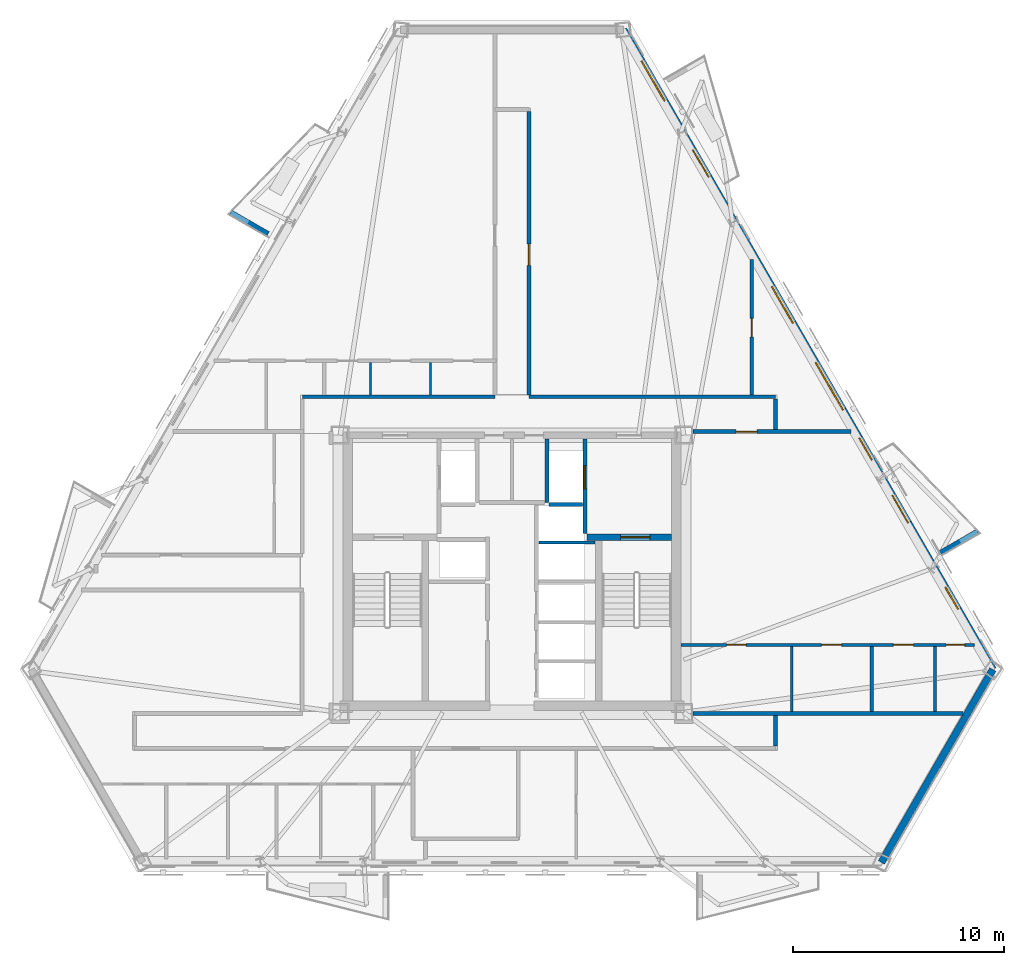
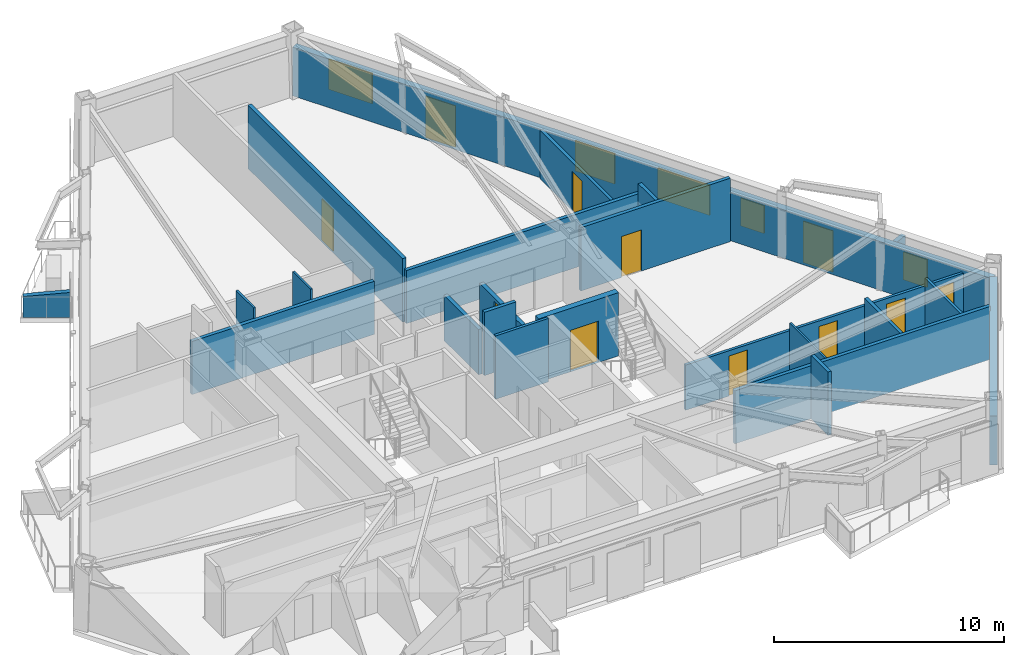
# One storey, part 5 of 9: 23 walls, 11 doors, 5 windows, 16 openings.
"""IFC4 building model written with IfcOpenShell, lengths in metres."""

import ifcopenshell
import ifcopenshell.guid

model = None  # the IFC model being written
_history = None  # IfcOwnerHistory: only IFC2X3 demands one
_inside = {}  # id of a spatial element -> (the spatial element, [elements in it])
_under = {}  # id of a project, library or spatial element -> (it, [spatial elements below it])
_declared = {}  # id of a project -> (the project, [libraries it declares])
_typed = {}  # id of a type object -> (the type object, [elements of that type])
_made_of = {}  # id of a material, layer set ... -> (it, [elements and type objects made of it])


def new_model(schema):
    """Start an empty IFC model of exactly this schema.

    Asked for "IFC4X3", IfcOpenShell would pick the latest addendum, in which some entities
    have other attributes; the version numbers below select the first issue.
    IFC2X3 requires an IfcOwnerHistory on every rooted entity: one is made here for all.
    """
    global model, _history
    if schema == "IFC4X3":
        model = ifcopenshell.file(schema_version=(4, 3, 0, 0))
    else:
        model = ifcopenshell.file(schema=schema)
    _inside.clear()
    _under.clear()
    _declared.clear()
    _typed.clear()
    _made_of.clear()
    _history = None
    if model.schema == "IFC2X3":
        org = make("IfcOrganization", Name="unknown")
        user = make(
            "IfcPersonAndOrganization",
            ThePerson=make("IfcPerson", FamilyName="unknown"),
            TheOrganization=org,
        )
        app = make(
            "IfcApplication",
            ApplicationDeveloper=org,
            Version="unknown",
            ApplicationFullName="unknown",
            ApplicationIdentifier="unknown",
        )
        _history = make(
            "IfcOwnerHistory",
            OwningUser=user,
            OwningApplication=app,
            ChangeAction="ADDED",
            CreationDate=0,
        )
    return model


def make(cls, **values):
    """One entity of the class cls with the attributes given. An attribute that is None is left unset."""
    return model.create_entity(
        cls, **{name: value for name, value in values.items() if value is not None}
    )


def rooted(cls, **values):
    """An entity with a GlobalId (a new one), such as an element, a storey or a relation."""
    return make(cls, GlobalId=ifcopenshell.guid.new(), OwnerHistory=_history, **values)


def si_unit(unit_type, name, prefix=None):
    """IfcSIUnit, for example si_unit("LENGTHUNIT", "METRE", prefix="MILLI")."""
    return make("IfcSIUnit", UnitType=unit_type, Prefix=prefix, Name=name)


def assignment(units):
    """IfcUnitAssignment: the units of a project."""
    return None if units is None else make("IfcUnitAssignment", Units=units)


def point(xyz):
    """IfcCartesianPoint."""
    return None if xyz is None else make("IfcCartesianPoint", Coordinates=xyz)


def direction(xyz):
    """IfcDirection."""
    return None if xyz is None else make("IfcDirection", DirectionRatios=xyz)


def frame(location, z_axis=None, x_axis=None):
    """IfcAxis2Placement3D, a coordinate frame: its origin and axes. An axis left out is left unset."""
    return make(
        "IfcAxis2Placement3D",
        Location=point(location),
        Axis=direction(z_axis),
        RefDirection=direction(x_axis),
    )


def frame_2d(location, x_axis=None):
    """IfcAxis2Placement2D, a coordinate frame in the plane: its origin and x axis."""
    return make(
        "IfcAxis2Placement2D", Location=point(location), RefDirection=direction(x_axis)
    )


def origin():
    """The frame at (0, 0, 0) with its axes left unset."""
    return frame((0.0, 0.0, 0.0))


def place(relative_to, where):
    """IfcLocalPlacement: puts the frame where relative to a parent placement (None: the world)."""
    return make(
        "IfcLocalPlacement", PlacementRelTo=relative_to, RelativePlacement=where
    )


def context(
    kind, dimensions, precision=None, world=None, true_north=None, identifier=None
):
    """IfcGeometricRepresentationContext, for example the 3D "Model" context."""
    return make(
        "IfcGeometricRepresentationContext",
        ContextIdentifier=identifier,
        ContextType=kind,
        CoordinateSpaceDimension=dimensions,
        Precision=precision,
        WorldCoordinateSystem=world,
        TrueNorth=true_north,
    )


def subcontext(parent, identifier, kind, view, scale=None):
    """IfcGeometricRepresentationSubContext, for example "Body" below "Model"."""
    return make(
        "IfcGeometricRepresentationSubContext",
        ContextIdentifier=identifier,
        ContextType=kind,
        ParentContext=parent,
        TargetScale=scale,
        TargetView=view,
    )


def project(units=None, contexts=None):
    """IfcProject with its units and contexts."""
    return rooted(
        "IfcProject",
        Name="project",
        RepresentationContexts=contexts,
        UnitsInContext=assignment(units),
    )


def spatial(cls, under=None, at=None, **own):
    """A site, building, storey or space (cls), placed at a placement, below another one or the project."""
    s = rooted(cls, ObjectPlacement=at, **own)
    if under is not None:
        _under.setdefault(under.id(), (under, []))[1].append(s)
    return s


def polyline(points):
    """IfcPolyline through the points."""
    return make("IfcPolyline", Points=[point(p) for p in points])


def profile(cls, at=None, kind="AREA", **sizes):
    """A parametric profile (cls). Its sizes go by their IFC names, for example OverallWidth=200.0."""
    return make(cls, ProfileType=kind, Position=at, **sizes)


def rectangle(**sizes):
    """IfcRectangleProfileDef."""
    return profile("IfcRectangleProfileDef", **sizes)


def outline(outer, holes=None, kind="AREA"):
    """IfcArbitraryClosedProfileDef: a profile drawn as a closed curve; with holes, ...WithVoids."""
    if holes is None:
        return make("IfcArbitraryClosedProfileDef", ProfileType=kind, OuterCurve=outer)
    return make(
        "IfcArbitraryProfileDefWithVoids",
        ProfileType=kind,
        OuterCurve=outer,
        InnerCurves=holes,
    )


def extrude(swept, where, along, depth):
    """IfcExtrudedAreaSolid: the profile swept, set in the frame where, extruded along a direction by depth."""
    return make(
        "IfcExtrudedAreaSolid",
        SweptArea=swept,
        Position=where,
        ExtrudedDirection=direction(along),
        Depth=depth,
    )


def shape(context_of_items, identifier, shape_type, items):
    """IfcShapeRepresentation: the items that make up one representation, for example the "Body"."""
    return make(
        "IfcShapeRepresentation",
        ContextOfItems=context_of_items,
        RepresentationIdentifier=identifier,
        RepresentationType=shape_type,
        Items=items,
    )


def material(Name=None, Category=None):
    """IfcMaterial."""
    return make("IfcMaterial", Name=Name, Category=Category)


def layer(
    of_material, thickness, ventilated=None, Name=None, Category=None, Priority=None
):
    """IfcMaterialLayer: one layer of a wall or slab, of a material (None: an air gap)."""
    return make(
        "IfcMaterialLayer",
        Material=of_material,
        LayerThickness=thickness,
        IsVentilated=ventilated,
        Name=Name,
        Category=Category,
        Priority=Priority,
    )


def layer_set(layers, Name=None):
    """IfcMaterialLayerSet."""
    return make("IfcMaterialLayerSet", MaterialLayers=layers, LayerSetName=Name)


def made_of(thing, what):
    """Note that an element or type object is made of a material, layer set ...; save() writes the relation."""
    if what is not None:
        _made_of.setdefault(what.id(), (what, []))[1].append(thing)
    return thing


def type_object(cls, material=None, **own):
    """A type object (cls), such as IfcWallType, which elements share."""
    return made_of(rooted(cls, **own), material)


def element(
    cls,
    number,
    at=None,
    inside=None,
    cuts=None,
    type_object=None,
    material=None,
    context=None,
    identifier="Body",
    shape_type=None,
    held_by="IfcProductDefinitionShape",
    body=None,
    shapes=None,
    **own,
):
    """One element of the class cls, such as IfcWall. Its Tag is "e" and its number.

    at: its placement. inside: the storey or other place that contains it. cuts: it is an
    opening in that element (IfcRelVoidsElement). A single representation is given by context,
    identifier, shape_type and body (its items); several are given by shapes. held_by: the class
    of the entity that holds the representations. save() writes the other relations.
    """
    e = rooted(cls, Tag="e%d" % number, ObjectPlacement=at, **own)
    if body is not None:
        shapes = [shape(context, identifier, shape_type, body)]
    if shapes is not None:
        e.Representation = make(held_by, Representations=shapes)
    if inside is not None:
        _inside.setdefault(inside.id(), (inside, []))[1].append(e)
    if cuts is not None:
        rooted(
            "IfcRelVoidsElement", RelatingBuildingElement=cuts, RelatedOpeningElement=e
        )
    if type_object is not None:
        _typed.setdefault(type_object.id(), (type_object, []))[1].append(e)
    return made_of(e, material)


def fill(opening, filler):
    """IfcRelFillsElement: the door or window that sits in an opening."""
    return rooted(
        "IfcRelFillsElement",
        RelatingOpeningElement=opening,
        RelatedBuildingElement=filler,
    )


def aggregate(whole, parts):
    """IfcRelAggregates: a whole, such as a stair, and the parts it consists of."""
    return rooted("IfcRelAggregates", RelatingObject=whole, RelatedObjects=parts)


def save(model, path):
    """Write the relations noted so far, then the file.

    IfcRelAggregates (storeys below a building ...), IfcRelContainedInSpatialStructure (elements
    in a storey), IfcRelDefinesByType, IfcRelAssociatesMaterial and IfcRelDeclares: one each for
    every whole, place, type object, material and project.
    """
    for whole, parts in _under.values():
        aggregate(whole, parts)
    for where, things in _inside.values():
        rooted(
            "IfcRelContainedInSpatialStructure",
            RelatedElements=things,
            RelatingStructure=where,
        )
    for kind, things in _typed.values():
        rooted("IfcRelDefinesByType", RelatedObjects=things, RelatingType=kind)
    for what, things in _made_of.values():
        rooted("IfcRelAssociatesMaterial", RelatedObjects=things, RelatingMaterial=what)
    for by, libraries in _declared.values():
        rooted("IfcRelDeclares", RelatingContext=by, RelatedDefinitions=libraries)
    model.write(path)


model = new_model("IFC4")

# Units and contexts
model_context = context("Model", 3, precision=1e-05, world=origin(), true_north=direction((0.0, 1.0)))
body_context = subcontext(model_context, "Body", "Model", "MODEL_VIEW")
ifc_project = project(units=[si_unit("LENGTHUNIT", "METRE"), si_unit("AREAUNIT", "SQUARE_METRE"), si_unit("VOLUMEUNIT", "CUBIC_METRE"), si_unit("PLANEANGLEUNIT", "RADIAN"), si_unit("MASSUNIT", "GRAM", prefix="KILO")], contexts=[model_context])

# Site, building, storey
site_placement = place(None, origin())
site = spatial("IfcSite", under=ifc_project, at=site_placement, CompositionType="ELEMENT")
building_placement = place(site_placement, origin())
building = spatial("IfcBuilding", under=site, at=building_placement, Name="Oramaril Tower", CompositionType="ELEMENT")
storey_placement = place(building_placement, frame((0.0, 0.0, 126.60009765625)))
storey = spatial("IfcBuildingStorey", under=building, at=storey_placement, Name="L33", CompositionType="ELEMENT", Elevation=126.60009765625)

# Wall
ifc_material_1 = material(Name="Warm Cream Limestone", Category="masonry")
ifc_layer_1 = layer(ifc_material_1, 0.340087890625)
ifc_layer_set_1 = layer_set([ifc_layer_1], Name="WT-EXT34")
wall_type_1 = type_object("IfcWallType", Name="WT-EXT34", PredefinedType="SOLIDWALL", material=ifc_layer_set_1)
wall_1_placement = place(storey_placement, frame((55.0244140625, 3.87841796875, 0.0), z_axis=(0.0, 0.0, 1.0), x_axis=(0.500003640647, 0.866023301845, 0.0)))
element("IfcWall", 1, at=wall_1_placement, inside=storey, type_object=wall_type_1, Name="L33 Tower Limestone Facade Wall 3M", PredefinedType="SOLIDWALL", context=body_context, shape_type="SweptSolid", body=[
    extrude(rectangle(XDim=10.572265625, YDim=0.340087890625, at=frame_2d((5.2861328125, 0.0))), origin(), (0.0, 0.0, 1.0), 2.577880859375),
])

# Wall, openings, doors, windows
wall_2_placement = place(storey_placement, frame((60.310546875, 13.0341796875, 0.0), z_axis=(0.0, 0.0, 1.0), x_axis=(-0.499998814518, 0.866026088222, 0.0)))
wall_2 = element("IfcWall", 2, at=wall_2_placement, inside=storey, type_object=wall_type_1, Name="L33 Tower Limestone Facade Wall 4M", PredefinedType="SOLIDWALL", context=body_context, shape_type="SweptSolid", body=[
    extrude(rectangle(XDim=35.048828125, YDim=0.340087890625, at=frame_2d((17.5244140625, 0.0))), origin(), (0.0, 0.0, 1.0), 2.577880859375),
])
opening_1_placement = place(wall_2_placement, frame((8.034423828125, 0.0, 0.0)))
opening_1 = element("IfcOpeningElement", 3, at=opening_1_placement, cuts=wall_2, Name="Opening D-L33-BAL-NE1", PredefinedType="OPENING", context=body_context, shape_type="SweptSolid", body=[
    extrude(rectangle(XDim=1.5, YDim=2.199951171875, at=frame_2d((0.75, 1.10009765625))), frame((0.0, 0.169921875, 0.0), z_axis=(0.0, -1.0, 0.0), x_axis=(1.0, 0.0, 0.0)), (0.0, 0.0, 1.0), 0.340087890625),
])
opening_2_placement = place(wall_2_placement, frame((26.969482421875, 0.0, 0.0)))
opening_2 = element("IfcOpeningElement", 4, at=opening_2_placement, cuts=wall_2, Name="Opening D-L33-BAL-NE2", PredefinedType="OPENING", context=body_context, shape_type="SweptSolid", body=[
    extrude(rectangle(XDim=1.5, YDim=2.199951171875, at=frame_2d((0.75, 1.10009765625))), frame((0.0, 0.169921875, 0.0), z_axis=(0.0, -1.0, 0.0), x_axis=(1.0, 0.0, 0.0)), (0.0, 0.0, 1.0), 0.340087890625),
])
opening_3_placement = place(wall_2_placement, frame((3.305908203125, 0.0, 0.85009765625)))
opening_3 = element("IfcOpeningElement", 5, at=opening_3_placement, cuts=wall_2, Name="Opening WN-09", PredefinedType="OPENING", context=body_context, shape_type="SweptSolid", body=[
    extrude(rectangle(XDim=1.199951171875, YDim=1.47998046875, at=frame_2d((0.60009765625, 0.739990234375))), frame((0.0, 0.169921875, 0.0), z_axis=(0.0, -1.0, 0.0), x_axis=(1.0, 0.0, 0.0)), (0.0, 0.0, 1.0), 0.340087890625),
])
opening_4_placement = place(wall_2_placement, frame((11.474853515625, 0.0, 0.85009765625)))
opening_4 = element("IfcOpeningElement", 6, at=opening_4_placement, cuts=wall_2, Name="Opening WN-09", PredefinedType="OPENING", context=body_context, shape_type="SweptSolid", body=[
    extrude(rectangle(XDim=1.199951171875, YDim=1.47998046875, at=frame_2d((0.60009765625, 0.739990234375))), frame((0.0, 0.169921875, 0.0), z_axis=(0.0, -1.0, 0.0), x_axis=(1.0, 0.0, 0.0)), (0.0, 0.0, 1.0), 0.340087890625),
])
opening_5_placement = place(wall_2_placement, frame((31.13427734375, 0.0, 0.85009765625)))
opening_5 = element("IfcOpeningElement", 7, at=opening_5_placement, cuts=wall_2, Name="Opening WN-04", PredefinedType="OPENING", context=body_context, shape_type="SweptSolid", body=[
    extrude(rectangle(XDim=2.199951171875, YDim=1.617919921875, at=frame_2d((1.10009765625, 0.80908203125))), frame((0.0, 0.169921875, 0.0), z_axis=(0.0, -1.0, 0.0), x_axis=(1.0, 0.0, 0.0)), (0.0, 0.0, 1.0), 0.340087890625),
])
opening_6_placement = place(wall_2_placement, frame((14.212890625, 0.0, 0.85009765625)))
opening_6 = element("IfcOpeningElement", 8, at=opening_6_placement, cuts=wall_2, Name="Opening WN-02", PredefinedType="OPENING", context=body_context, shape_type="SweptSolid", body=[
    extrude(rectangle(XDim=2.60009765625, YDim=1.617919921875, at=frame_2d((1.300048828125, 0.80908203125))), frame((0.0, 0.169921875, 0.0), z_axis=(0.0, -1.0, 0.0), x_axis=(1.0, 0.0, 0.0)), (0.0, 0.0, 1.0), 0.340087890625),
])
opening_7_placement = place(wall_2_placement, frame((18.974609375, 0.0, 0.85009765625)))
opening_7 = element("IfcOpeningElement", 9, at=opening_7_placement, cuts=wall_2, Name="Opening WN-05", PredefinedType="OPENING", context=body_context, shape_type="SweptSolid", body=[
    extrude(rectangle(XDim=2.0, YDim=1.617919921875, at=frame_2d((1.0, 0.80908203125))), frame((0.0, 0.169921875, 0.0), z_axis=(0.0, -1.0, 0.0), x_axis=(1.0, 0.0, 0.0)), (0.0, 0.0, 1.0), 0.340087890625),
])
ifc_material_2 = material(Name="Anodised Aluminium 6063-T6", Category="aluminium")
door_type_1 = type_object("IfcDoorType", Name="DT-BAL", OperationType="NOTDEFINED", PredefinedType="DOOR", material=ifc_material_2)
door_1_placement = place(opening_1_placement, origin())
door_1 = element("IfcDoor", 10, at=door_1_placement, inside=storey, type_object=door_type_1, Name="L33 Balcony Glazed Door L33-BAL-NE1", OperationType="SINGLE_SWING_RIGHT", OverallHeight=2.199951171875, OverallWidth=1.5, PredefinedType="DOOR", context=body_context, shape_type="SweptSolid", body=[
    extrude(rectangle(XDim=1.5, YDim=2.199951171875, at=frame_2d((0.75, 1.10009765625))), frame((0.0, 0.02490234375, 0.0), z_axis=(0.0, -1.0, 0.0), x_axis=(1.0, 0.0, 0.0)), (0.0, 0.0, 1.0), 0.050048828125),
])
fill(opening_1, door_1)
door_2_placement = place(opening_2_placement, origin())
door_2 = element("IfcDoor", 11, at=door_2_placement, inside=storey, type_object=door_type_1, Name="L33 Balcony Glazed Door L33-BAL-NE2", OperationType="SINGLE_SWING_LEFT", OverallHeight=2.199951171875, OverallWidth=1.5, PredefinedType="DOOR", context=body_context, shape_type="SweptSolid", body=[
    extrude(rectangle(XDim=1.5, YDim=2.199951171875, at=frame_2d((0.75, 1.10009765625))), frame((0.0, 0.02490234375, 0.0), z_axis=(0.0, -1.0, 0.0), x_axis=(1.0, 0.0, 0.0)), (0.0, 0.0, 1.0), 0.050048828125),
])
fill(opening_2, door_2)
ifc_material_3 = material(Name="Coastal Low-E Insulated Glass", Category="glass")
window_type_1 = type_object("IfcWindowType", Name="WNT-02", PartitioningType="SINGLE_PANEL", PredefinedType="WINDOW", material=ifc_material_3)
window_1_placement = place(opening_6_placement, origin())
window_1 = element("IfcWindow", 12, at=window_1_placement, inside=storey, type_object=window_type_1, Name="L33 Chicago Bay Window WN-02", OverallHeight=1.617919921875, OverallWidth=2.60009765625, PartitioningType="SINGLE_PANEL", PredefinedType="WINDOW", context=body_context, shape_type="SweptSolid", body=[
    extrude(rectangle(XDim=2.60009765625, YDim=1.617919921875, at=frame_2d((1.300048828125, 0.80908203125))), frame((0.0, 0.030029296875, 0.0), z_axis=(0.0, -1.0, 0.0), x_axis=(1.0, 0.0, 0.0)), (0.0, 0.0, 1.0), 0.06005859375),
])
fill(opening_6, window_1)
ifc_material_4 = material(Name="Coastal Low-E Insulated Glass", Category="glass")
window_type_2 = type_object("IfcWindowType", Name="WNT-04", PartitioningType="SINGLE_PANEL", PredefinedType="WINDOW", material=ifc_material_4)
window_2_placement = place(opening_5_placement, origin())
window_2 = element("IfcWindow", 13, at=window_2_placement, inside=storey, type_object=window_type_2, Name="L33 Chicago Bay Window WN-04", OverallHeight=1.617919921875, OverallWidth=2.199951171875, PartitioningType="SINGLE_PANEL", PredefinedType="WINDOW", context=body_context, shape_type="SweptSolid", body=[
    extrude(rectangle(XDim=2.199951171875, YDim=1.617919921875, at=frame_2d((1.10009765625, 0.80908203125))), frame((0.0, 0.030029296875, 0.0), z_axis=(0.0, -1.0, 0.0), x_axis=(1.0, 0.0, 0.0)), (0.0, 0.0, 1.0), 0.06005859375),
])
fill(opening_5, window_2)
ifc_material_5 = material(Name="Coastal Low-E Insulated Glass", Category="glass")
window_type_3 = type_object("IfcWindowType", Name="WNT-05", PartitioningType="SINGLE_PANEL", PredefinedType="WINDOW", material=ifc_material_5)
window_3_placement = place(opening_7_placement, origin())
window_3 = element("IfcWindow", 14, at=window_3_placement, inside=storey, type_object=window_type_3, Name="L33 Chicago Bay Window WN-05", OverallHeight=1.617919921875, OverallWidth=2.0, PartitioningType="SINGLE_PANEL", PredefinedType="WINDOW", context=body_context, shape_type="SweptSolid", body=[
    extrude(rectangle(XDim=2.0, YDim=1.617919921875, at=frame_2d((1.0, 0.80908203125))), frame((0.0, 0.030029296875, 0.0), z_axis=(0.0, -1.0, 0.0), x_axis=(1.0, 0.0, 0.0)), (0.0, 0.0, 1.0), 0.06005859375),
])
fill(opening_7, window_3)
ifc_material_6 = material(Name="Coastal Low-E Insulated Glass", Category="glass")
window_type_4 = type_object("IfcWindowType", Name="WNT-09", PartitioningType="SINGLE_PANEL", PredefinedType="WINDOW", material=ifc_material_6)
window_4_placement = place(opening_3_placement, origin())
window_4 = element("IfcWindow", 15, at=window_4_placement, inside=storey, type_object=window_type_4, Name="L33 Chicago Bay Window WN-09", OverallHeight=1.47998046875, OverallWidth=1.199951171875, PartitioningType="SINGLE_PANEL", PredefinedType="WINDOW", context=body_context, shape_type="SweptSolid", body=[
    extrude(rectangle(XDim=1.199951171875, YDim=1.47998046875, at=frame_2d((0.60009765625, 0.739990234375))), frame((0.0, 0.030029296875, 0.0), z_axis=(0.0, -1.0, 0.0), x_axis=(1.0, 0.0, 0.0)), (0.0, 0.0, 1.0), 0.06005859375),
])
fill(opening_3, window_4)
window_5_placement = place(opening_4_placement, origin())
window_5 = element("IfcWindow", 16, at=window_5_placement, inside=storey, type_object=window_type_4, Name="L33 Chicago Bay Window WN-09", OverallHeight=1.47998046875, OverallWidth=1.199951171875, PartitioningType="SINGLE_PANEL", PredefinedType="WINDOW", context=body_context, shape_type="SweptSolid", body=[
    extrude(rectangle(XDim=1.199951171875, YDim=1.47998046875, at=frame_2d((0.60009765625, 0.739990234375))), frame((0.0, 0.030029296875, 0.0), z_axis=(0.0, -1.0, 0.0), x_axis=(1.0, 0.0, 0.0)), (0.0, 0.0, 1.0), 0.06005859375),
])
fill(opening_4, window_5)

# Walls
ifc_material_7 = material(Name="Concrete C40/50", Category="concrete")
ifc_layer_2 = layer(ifc_material_7, 0.22998046875)
ifc_layer_set_2 = layer_set([ifc_layer_2], Name="WT-PRP23")
wall_type_2 = type_object("IfcWallType", Name="WT-PRP23", PredefinedType="PARAPET", material=ifc_layer_set_2)
for number, where, z_axis, x_axis, name in (
    (17, (57.808837890625, 18.5634765625, 0.0), (0.0, 0.0, 1.0), (0.866012356593, 0.500022597718, 0.0), "L33 Trapezoidal Balcony Frame Cheek L33-BAL-NE1-L"),
    (18, (25.931396484375, 33.70166015625, 0.0), (0.0, 0.0, 1.0), (-0.866042246008, 0.499970827278, 0.0), "L33 Trapezoidal Balcony Frame Cheek L33-BAL-NW1-R"),
):
    element("IfcWall", number, at=place(storey_placement, frame(where, z_axis=z_axis, x_axis=x_axis)), inside=storey, type_object=wall_type_2, Name=name, PredefinedType="PARAPET", context=body_context, shape_type="SweptSolid", body=[
        extrude(outline(polyline([(0.0, 0.0), (2.0419921875, 0.0), (2.0419921875, 1.099853515625), (0.0, 1.31982421875), (0.0, 0.0)])), frame((0.0, 0.114990234375, 0.0), z_axis=(0.0, -1.0, 0.0), x_axis=(1.0, 0.0, 0.0)), (0.0, 0.0, 1.0), 0.22998046875),
    ])
ifc_material_8 = material(Name="Acoustic Gypsum Board Partition")
ifc_layer_3 = layer(ifc_material_8, 0.10009765625)
ifc_layer_set_3 = layer_set([ifc_layer_3], Name="WT-PT10")
wall_type_3 = type_object("IfcWallType", Name="WT-PT10", PredefinedType="PARTITIONING", material=ifc_layer_set_3)
for number, where, z_axis, x_axis, name in (
    (19, (30.7900390625, 26.06396484375, 0.0), (0.0, 0.0, 1.0), (0.0, 1.0, 0.0), "L33 Interior Partition PT-10"),
    (20, (33.639892578125, 26.06396484375, 0.0), (0.0, 0.0, 1.0), (0.0, 1.0, 0.0), "L33 Interior Partition PT-10"),
):
    element("IfcWall", number, at=place(storey_placement, frame(where, z_axis=z_axis, x_axis=x_axis)), inside=storey, type_object=wall_type_3, Name=name, PredefinedType="PARTITIONING", context=body_context, shape_type="SweptSolid", body=[
        extrude(rectangle(XDim=1.5419921875, YDim=0.10009765625, at=frame_2d((0.77099609375, 0.0))), origin(), (0.0, 0.0, 1.0), 3.35986328125),
    ])
wall_3_placement = place(storey_placement, frame((50.77001953125, 11.0439453125, 0.0), z_axis=(0.0, 0.0, 1.0), x_axis=(0.0, 1.0, 0.0)))
element("IfcWall", 21, at=wall_3_placement, inside=storey, type_object=wall_type_3, Name="L33 Interior Partition PT-10", PredefinedType="PARTITIONING", context=body_context, shape_type="SweptSolid", body=[
    extrude(rectangle(XDim=3.08203125, YDim=0.10009765625, at=frame_2d((1.541015625, 0.0))), origin(), (0.0, 0.0, 1.0), 2.81396484375),
])
ifc_material_9 = material(Name="Acoustic Gypsum Board Partition")
ifc_layer_4 = layer(ifc_material_9, 0.139892578125)
ifc_layer_set_4 = layer_set([ifc_layer_4], Name="WT-PT14")
wall_type_4 = type_object("IfcWallType", Name="WT-PT14", PredefinedType="PARTITIONING", material=ifc_layer_set_4)
wall_4_placement = place(storey_placement, frame((38.780029296875, 19.050048828125, 0.0), z_axis=(0.0, 0.0, 1.0), x_axis=(1.0, 0.0, 0.0)))
element("IfcWall", 22, at=wall_4_placement, inside=storey, type_object=wall_type_4, Name="L33 East Lift Divider", PredefinedType="PARTITIONING", context=body_context, shape_type="SweptSolid", body=[
    extrude(rectangle(XDim=2.659912109375, YDim=0.139892578125, at=frame_2d((1.330078125, 0.0))), origin(), (0.0, 0.0, 1.0), 3.35986328125),
])

# Wall, openings, doors
wall_5_placement = place(storey_placement, frame((45.513916015625, 14.199951171875, 0.0), z_axis=(0.0, 0.0, 1.0), x_axis=(1.0, 0.0, 0.0)))
wall_5 = element("IfcWall", 23, at=wall_5_placement, inside=storey, type_object=wall_type_4, Name="L33 Interior Partition PT-14", PredefinedType="PARTITIONING", context=body_context, shape_type="SweptSolid", body=[
    extrude(rectangle(XDim=13.922607421875, YDim=0.139892578125, at=frame_2d((6.96142578125, 0.0))), origin(), (0.0, 0.0, 1.0), 2.39990234375),
])
opening_8_placement = place(wall_5_placement, frame((2.173828125, 0.0, 0.0)))
opening_8 = element("IfcOpeningElement", 24, at=opening_8_placement, cuts=wall_5, Name="Opening D-L33-10", PredefinedType="OPENING", context=body_context, shape_type="SweptSolid", body=[
    extrude(rectangle(XDim=0.919921875, YDim=2.1201171875, at=frame_2d((0.4599609375, 1.06005859375))), frame((0.0, 0.06982421875, 0.0), z_axis=(0.0, -1.0, 0.0), x_axis=(1.0, 0.0, 0.0)), (0.0, 0.0, 1.0), 0.139892578125),
])
opening_9_placement = place(wall_5_placement, frame((6.672607421875, 0.0, 0.0)))
opening_9 = element("IfcOpeningElement", 25, at=opening_9_placement, cuts=wall_5, Name="Opening D-L33-11", PredefinedType="OPENING", context=body_context, shape_type="SweptSolid", body=[
    extrude(rectangle(XDim=0.949951171875, YDim=2.10009765625, at=frame_2d((0.47509765625, 1.050048828125))), frame((0.0, 0.06982421875, 0.0), z_axis=(0.0, -1.0, 0.0), x_axis=(1.0, 0.0, 0.0)), (0.0, 0.0, 1.0), 0.139892578125),
])
opening_10_placement = place(wall_5_placement, frame((10.076904296875, 0.0, 0.0)))
opening_10 = element("IfcOpeningElement", 26, at=opening_10_placement, cuts=wall_5, Name="Opening D-L33-12", PredefinedType="OPENING", context=body_context, shape_type="SweptSolid", body=[
    extrude(rectangle(XDim=0.949951171875, YDim=2.10009765625, at=frame_2d((0.47509765625, 1.050048828125))), frame((0.0, 0.06982421875, 0.0), z_axis=(0.0, -1.0, 0.0), x_axis=(1.0, 0.0, 0.0)), (0.0, 0.0, 1.0), 0.139892578125),
])
opening_11_placement = place(wall_5_placement, frame((12.580322265625, 0.0, 0.0)))
opening_11 = element("IfcOpeningElement", 27, at=opening_11_placement, cuts=wall_5, Name="Opening D-L33-13", PredefinedType="OPENING", context=body_context, shape_type="SweptSolid", body=[
    extrude(rectangle(XDim=0.8798828125, YDim=2.080078125, at=frame_2d((0.43994140625, 1.0400390625))), frame((0.0, 0.06982421875, 0.0), z_axis=(0.0, -1.0, 0.0), x_axis=(1.0, 0.0, 0.0)), (0.0, 0.0, 1.0), 0.139892578125),
])
ifc_material_10 = material(Name="FSC Brazilian Freijo Hardwood", Category="wood")
door_type_2 = type_object("IfcDoorType", Name="DT-BATH", OperationType="NOTDEFINED", PredefinedType="DOOR", material=ifc_material_10)
door_3_placement = place(opening_11_placement, origin())
door_3 = element("IfcDoor", 28, at=door_3_placement, inside=storey, type_object=door_type_2, Name="L33 Flat L33-U4 Bathroom Door D-L33-13", OperationType="SINGLE_SWING_RIGHT", OverallHeight=2.080078125, OverallWidth=0.8798828125, PredefinedType="DOOR", context=body_context, shape_type="SweptSolid", body=[
    extrude(rectangle(XDim=0.8798828125, YDim=2.080078125, at=frame_2d((0.43994140625, 1.0400390625))), frame((0.0, 0.02490234375, 0.0), z_axis=(0.0, -1.0, 0.0), x_axis=(1.0, 0.0, 0.0)), (0.0, 0.0, 1.0), 0.050048828125),
])
fill(opening_11, door_3)
ifc_material_11 = material(Name="FSC Brazilian Freijo Hardwood", Category="wood")
door_type_3 = type_object("IfcDoorType", Name="DT-BED", OperationType="NOTDEFINED", PredefinedType="DOOR", material=ifc_material_11)
door_4_placement = place(opening_8_placement, origin())
door_4 = element("IfcDoor", 29, at=door_4_placement, inside=storey, type_object=door_type_3, Name="L33 Flat L33-U4 Master Bedroom Door D-L33-10", OperationType="SINGLE_SWING_LEFT", OverallHeight=2.1201171875, OverallWidth=0.919921875, PredefinedType="DOOR", context=body_context, shape_type="SweptSolid", body=[
    extrude(rectangle(XDim=0.919921875, YDim=2.1201171875, at=frame_2d((0.4599609375, 1.06005859375))), frame((0.0, 0.02490234375, 0.0), z_axis=(0.0, -1.0, 0.0), x_axis=(1.0, 0.0, 0.0)), (0.0, 0.0, 1.0), 0.050048828125),
])
fill(opening_8, door_4)
ifc_material_12 = material(Name="FSC Brazilian Freijo Hardwood", Category="wood")
door_type_4 = type_object("IfcDoorType", Name="DT-STDY", OperationType="NOTDEFINED", PredefinedType="DOOR", material=ifc_material_12)
door_5_placement = place(opening_9_placement, origin())
door_5 = element("IfcDoor", 30, at=door_5_placement, inside=storey, type_object=door_type_4, Name="L33 Flat L33-U4 Dining Room Door D-L33-11", OperationType="SINGLE_SWING_RIGHT", OverallHeight=2.10009765625, OverallWidth=0.949951171875, PredefinedType="DOOR", context=body_context, shape_type="SweptSolid", body=[
    extrude(rectangle(XDim=0.949951171875, YDim=2.10009765625, at=frame_2d((0.47509765625, 1.050048828125))), frame((0.0, 0.02490234375, 0.0), z_axis=(0.0, -1.0, 0.0), x_axis=(1.0, 0.0, 0.0)), (0.0, 0.0, 1.0), 0.050048828125),
])
fill(opening_9, door_5)
door_6_placement = place(opening_10_placement, origin())
door_6 = element("IfcDoor", 31, at=door_6_placement, inside=storey, type_object=door_type_4, Name="L33 Flat L33-U4 Kitchen Door D-L33-12", OperationType="SINGLE_SWING_LEFT", OverallHeight=2.10009765625, OverallWidth=0.949951171875, PredefinedType="DOOR", context=body_context, shape_type="SweptSolid", body=[
    extrude(rectangle(XDim=0.949951171875, YDim=2.10009765625, at=frame_2d((0.47509765625, 1.050048828125))), frame((0.0, 0.02490234375, 0.0), z_axis=(0.0, -1.0, 0.0), x_axis=(1.0, 0.0, 0.0)), (0.0, 0.0, 1.0), 0.050048828125),
])
fill(opening_10, door_6)

# Wall
wall_6_placement = place(storey_placement, frame((57.570068359375, 11.0439453125, 0.0), z_axis=(0.0, 0.0, 1.0), x_axis=(0.0, 1.0, 0.0)))
element("IfcWall", 32, at=wall_6_placement, inside=storey, type_object=wall_type_4, Name="L33 Interior Partition PT-14", PredefinedType="PARTITIONING", context=body_context, shape_type="SweptSolid", body=[
    extrude(rectangle(XDim=3.08203125, YDim=0.139892578125, at=frame_2d((1.541015625, 0.0))), origin(), (0.0, 0.0, 1.0), 2.81396484375),
])

# Wall, opening, door
ifc_material_13 = material(Name="Acoustic Gypsum Board Partition")
ifc_layer_5 = layer(ifc_material_13, 0.159912109375)
ifc_layer_set_5 = layer_set([ifc_layer_5], Name="WT-PT16")
wall_type_5 = type_object("IfcWallType", Name="WT-PT16", PredefinedType="PARTITIONING", material=ifc_layer_set_5)
wall_7_placement = place(storey_placement, frame((48.8798828125, 26.06396484375, 0.0), z_axis=(0.0, 0.0, 1.0), x_axis=(0.0, 1.0, 0.0)))
wall_7 = element("IfcWall", 33, at=wall_7_placement, inside=storey, type_object=wall_type_5, Name="L33 Interior Partition PT-16", PredefinedType="PARTITIONING", context=body_context, shape_type="SweptSolid", body=[
    extrude(rectangle(XDim=6.420654296875, YDim=0.159912109375, at=frame_2d((3.21044921875, 0.0))), origin(), (0.0, 0.0, 1.0), 2.577880859375),
])
opening_12_placement = place(wall_7_placement, frame((2.746826171875, 0.0, 0.0)))
opening_12 = element("IfcOpeningElement", 34, at=opening_12_placement, cuts=wall_7, Name="Opening D-L33-25", PredefinedType="OPENING", context=body_context, shape_type="SweptSolid", body=[
    extrude(rectangle(XDim=0.8798828125, YDim=2.080078125, at=frame_2d((0.43994140625, 1.0400390625))), frame((0.0, 0.080078125, 0.0), z_axis=(0.0, -1.0, 0.0), x_axis=(1.0, 0.0, 0.0)), (0.0, 0.0, 1.0), 0.159912109375),
])
door_7_placement = place(opening_12_placement, origin())
door_7 = element("IfcDoor", 35, at=door_7_placement, inside=storey, type_object=door_type_2, Name="L33 Flat L33-U6 Bathroom Door D-L33-25", OperationType="SINGLE_SWING_RIGHT", OverallHeight=2.080078125, OverallWidth=0.8798828125, PredefinedType="DOOR", context=body_context, shape_type="SweptSolid", body=[
    extrude(rectangle(XDim=0.8798828125, YDim=2.080078125, at=frame_2d((0.43994140625, 1.0400390625))), frame((0.0, 0.02490234375, 0.0), z_axis=(0.0, -1.0, 0.0), x_axis=(1.0, 0.0, 0.0)), (0.0, 0.0, 1.0), 0.050048828125),
])
fill(opening_12, door_7)

# Walls
wall_8_placement = place(storey_placement, frame((54.56005859375, 11.0439453125, 0.0), z_axis=(0.0, 0.0, 1.0), x_axis=(0.0, 1.0, 0.0)))
element("IfcWall", 36, at=wall_8_placement, inside=storey, type_object=wall_type_5, Name="L33 Interior Partition PT-16", PredefinedType="PARTITIONING", context=body_context, shape_type="SweptSolid", body=[
    extrude(rectangle(XDim=3.08203125, YDim=0.159912109375, at=frame_2d((1.541015625, 0.0))), origin(), (0.0, 0.0, 1.0), 2.81396484375),
])
ifc_material_14 = material(Name="Autoclaved Cellular Concrete Block", Category="concrete")
ifc_layer_6 = layer(ifc_material_14, 0.179931640625)
ifc_layer_set_6 = layer_set([ifc_layer_6], Name="WT-PT18")
wall_type_6 = type_object("IfcWallType", Name="WT-PT18", PredefinedType="PARTITIONING", material=ifc_layer_set_6)
wall_9_placement = place(storey_placement, frame((39.159912109375, 20.9599609375, 0.0), z_axis=(0.0, 0.0, 1.0), x_axis=(0.0, 1.0, 0.0)))
element("IfcWall", 37, at=wall_9_placement, inside=storey, type_object=wall_type_6, Name="L33 FL-2 West Shaft Wall", PredefinedType="PARTITIONING", context=body_context, shape_type="SweptSolid", body=[
    extrude(rectangle(XDim=3.02001953125, YDim=0.179931640625, at=frame_2d((1.510009765625, 0.0))), origin(), (0.0, 0.0, 1.0), 2.39990234375),
])
wall_10_placement = place(storey_placement, frame((39.260009765625, 20.860107421875, 0.0), z_axis=(0.0, 0.0, 1.0), x_axis=(1.0, 0.0, 0.0)))
element("IfcWall", 38, at=wall_10_placement, inside=storey, type_object=wall_type_6, Name="L33 FL-2 South Shaft Wall", PredefinedType="PARTITIONING", context=body_context, shape_type="SweptSolid", body=[
    extrude(rectangle(XDim=1.580078125, YDim=0.179931640625, at=frame_2d((0.7900390625, 0.0))), origin(), (0.0, 0.0, 1.0), 3.35986328125),
])
wall_11_placement = place(storey_placement, frame((46.090087890625, 10.949951171875, 0.0), z_axis=(0.0, 0.0, 1.0), x_axis=(1.0, 0.0, 0.0)))
element("IfcWall", 39, at=wall_11_placement, inside=storey, type_object=wall_type_6, Name="L33 Interior Partition PT-18", PredefinedType="PARTITIONING", context=body_context, shape_type="SweptSolid", body=[
    extrude(rectangle(XDim=12.81640625, YDim=0.179931640625, at=frame_2d((6.408203125, 0.0))), origin(), (0.0, 0.0, 1.0), 2.81396484375),
])

# Wall, opening, door
wall_12_placement = place(storey_placement, frame((46.090087890625, 24.320068359375, 0.0), z_axis=(0.0, 0.0, 1.0), x_axis=(1.0, 0.0, 0.0)))
wall_12 = element("IfcWall", 40, at=wall_12_placement, inside=storey, type_object=wall_type_6, Name="L33 Interior Partition PT-18", PredefinedType="PARTITIONING", context=body_context, shape_type="SweptSolid", body=[
    extrude(rectangle(XDim=7.503662109375, YDim=0.179931640625, at=frame_2d((3.751953125, 0.0))), origin(), (0.0, 0.0, 1.0), 3.35986328125),
])
opening_13_placement = place(wall_12_placement, frame((2.040771484375, 0.0, 0.0)))
opening_13 = element("IfcOpeningElement", 41, at=opening_13_placement, cuts=wall_12, Name="Opening D-L33-15", PredefinedType="OPENING", context=body_context, shape_type="SweptSolid", body=[
    extrude(rectangle(XDim=1.0, YDim=2.179931640625, at=frame_2d((0.5, 1.08984375))), frame((0.0, 0.08984375, 0.0), z_axis=(0.0, -1.0, 0.0), x_axis=(1.0, 0.0, 0.0)), (0.0, 0.0, 1.0), 0.179931640625),
])
ifc_material_15 = material(Name="FSC Brazilian Freijo Hardwood", Category="wood")
door_type_5 = type_object("IfcDoorType", Name="DT-APT", OperationType="NOTDEFINED", PredefinedType="DOOR", material=ifc_material_15)
door_8_placement = place(opening_13_placement, origin())
door_8 = element("IfcDoor", 42, at=door_8_placement, inside=storey, type_object=door_type_5, Name="L33 Flat L33-U4 Penthouse Living and Dining Room Door D-L33-15", OperationType="SINGLE_SWING_RIGHT", OverallHeight=2.179931640625, OverallWidth=1.0, PredefinedType="DOOR", context=body_context, shape_type="SweptSolid", body=[
    extrude(rectangle(XDim=1.0, YDim=2.179931640625, at=frame_2d((0.5, 1.08984375))), frame((0.0, 0.02490234375, 0.0), z_axis=(0.0, -1.0, 0.0), x_axis=(1.0, 0.0, 0.0)), (0.0, 0.0, 1.0), 0.050048828125),
])
fill(opening_13, door_8)

# Walls
wall_13_placement = place(storey_placement, frame((27.550048828125, 25.969970703125, 0.0), z_axis=(0.0, 0.0, 1.0), x_axis=(1.0, 0.0, 0.0)))
element("IfcWall", 43, at=wall_13_placement, inside=storey, type_object=wall_type_6, Name="L33 Interior Partition PT-18", PredefinedType="PARTITIONING", context=body_context, shape_type="SweptSolid", body=[
    extrude(rectangle(XDim=9.14990234375, YDim=0.179931640625, at=frame_2d((4.574951171875, 0.0))), origin(), (0.0, 0.0, 1.0), 2.81396484375),
])
wall_14_placement = place(storey_placement, frame((38.300048828125, 25.969970703125, 0.0), z_axis=(0.0, 0.0, 1.0), x_axis=(1.0, 0.0, 0.0)))
element("IfcWall", 44, at=wall_14_placement, inside=storey, type_object=wall_type_6, Name="L33 Interior Partition PT-18", PredefinedType="PARTITIONING", context=body_context, shape_type="SweptSolid", body=[
    extrude(rectangle(XDim=11.699951171875, YDim=0.179931640625, at=frame_2d((5.85009765625, 0.0))), origin(), (0.0, 0.0, 1.0), 2.81396484375),
])

# Wall, opening, door
wall_15_placement = place(storey_placement, frame((38.300048828125, 26.06396484375, 0.0), z_axis=(0.0, 0.0, 1.0), x_axis=(0.0, 1.0, 0.0)))
wall_15 = element("IfcWall", 45, at=wall_15_placement, inside=storey, type_object=wall_type_6, Name="L33 Interior Partition PT-18", PredefinedType="PARTITIONING", context=body_context, shape_type="SweptSolid", body=[
    extrude(rectangle(XDim=13.442138671875, YDim=0.179931640625, at=frame_2d((6.72119140625, 0.0))), origin(), (0.0, 0.0, 1.0), 3.35986328125),
])
opening_14_placement = place(wall_15_placement, frame((6.146484375, 0.0, 0.0)))
opening_14 = element("IfcOpeningElement", 46, at=opening_14_placement, cuts=wall_15, Name="Opening D-L33-23", PredefinedType="OPENING", context=body_context, shape_type="SweptSolid", body=[
    extrude(rectangle(XDim=1.0, YDim=2.179931640625, at=frame_2d((0.5, 1.08984375))), frame((0.0, 0.08984375, 0.0), z_axis=(0.0, -1.0, 0.0), x_axis=(1.0, 0.0, 0.0)), (0.0, 0.0, 1.0), 0.179931640625),
])
door_9_placement = place(opening_14_placement, origin())
door_9 = element("IfcDoor", 47, at=door_9_placement, inside=storey, type_object=door_type_5, Name="L33 Flat L33-U6 Kitchen and Studio Apartment Door D-L33-23", OperationType="SINGLE_SWING_RIGHT", OverallHeight=2.179931640625, OverallWidth=1.0, PredefinedType="DOOR", context=body_context, shape_type="SweptSolid", body=[
    extrude(rectangle(XDim=1.0, YDim=2.179931640625, at=frame_2d((0.5, 1.08984375))), frame((0.0, 0.02490234375, 0.0), z_axis=(0.0, -1.0, 0.0), x_axis=(1.0, 0.0, 0.0)), (0.0, 0.0, 1.0), 0.050048828125),
])
fill(opening_14, door_9)

# Walls
for number, where, z_axis, x_axis, name in (
    (48, (50.0, 9.39404296875, 0.0), (0.0, 0.0, 1.0), (0.0, 1.0, 0.0), "L33 Interior Partition PT-18"),
    (49, (50.0, 24.4140625, 0.0), (0.0, 0.0, 1.0), (0.0, 1.0, 0.0), "L33 Interior Partition PT-18"),
):
    element("IfcWall", number, at=place(storey_placement, frame(where, z_axis=z_axis, x_axis=x_axis)), inside=storey, type_object=wall_type_6, Name=name, PredefinedType="PARTITIONING", context=body_context, shape_type="SweptSolid", body=[
        extrude(rectangle(XDim=1.4619140625, YDim=0.179931640625, at=frame_2d((0.73095703125, 0.0))), origin(), (0.0, 0.0, 1.0), 3.35986328125),
    ])

# Wall, opening, door
ifc_material_16 = material(Name="Concrete C50/60", Category="concrete")
ifc_layer_7 = layer(ifc_material_16, 0.300048828125)
ifc_layer_set_7 = layer_set([ifc_layer_7], Name="WT-SH30")
wall_type_7 = type_object("IfcWallType", Name="WT-SH30", PredefinedType="SHEAR", material=ifc_layer_set_7)
wall_16_placement = place(storey_placement, frame((41.050048828125, 19.31005859375, 0.0), z_axis=(0.0, 0.0, 1.0), x_axis=(1.0, 0.0, 0.0)))
wall_16 = element("IfcWall", 50, at=wall_16_placement, inside=storey, type_object=wall_type_7, Name="L33 Core Shear Wall CW-ST2N", PredefinedType="SHEAR", context=body_context, shape_type="SweptSolid", body=[
    extrude(rectangle(XDim=4.010009765625, YDim=0.300048828125, at=frame_2d((2.0048828125, 0.0))), origin(), (0.0, 0.0, 1.0), 3.35986328125),
])
opening_15_placement = place(wall_16_placement, frame((1.60009765625, 0.0, 0.0)))
opening_15 = element("IfcOpeningElement", 51, at=opening_15_placement, cuts=wall_16, Name="Opening D-L33-ST2", PredefinedType="OPENING", context=body_context, shape_type="SweptSolid", body=[
    extrude(rectangle(XDim=1.39990234375, YDim=2.199951171875, at=frame_2d((0.699951171875, 1.10009765625))), frame((0.0, 0.14990234375, 0.0), z_axis=(0.0, -1.0, 0.0), x_axis=(1.0, 0.0, 0.0)), (0.0, 0.0, 1.0), 0.300048828125),
])
ifc_material_17 = material(Name="Painted Galvanised Steel", Category="steel")
door_type_6 = type_object("IfcDoorType", Name="DT-ST", OperationType="NOTDEFINED", PredefinedType="DOOR", material=ifc_material_17)
door_10_placement = place(opening_15_placement, origin())
door_10 = element("IfcDoor", 52, at=door_10_placement, inside=storey, type_object=door_type_6, Name="L33 Protected Stair ST-2 Fire Door", OperationType="SINGLE_SWING_RIGHT", OverallHeight=2.199951171875, OverallWidth=1.39990234375, PredefinedType="DOOR", context=body_context, shape_type="SweptSolid", body=[
    extrude(rectangle(XDim=1.39990234375, YDim=2.199951171875, at=frame_2d((0.699951171875, 1.10009765625))), frame((0.0, 0.02490234375, 0.0), z_axis=(0.0, -1.0, 0.0), x_axis=(1.0, 0.0, 0.0)), (0.0, 0.0, 1.0), 0.050048828125),
])
fill(opening_15, door_10)

ifc_material_18 = material(Name="Autoclaved Cellular Concrete Block", Category="concrete")
ifc_layer_8 = layer(ifc_material_18, 0.199951171875)
ifc_layer_set_8 = layer_set([ifc_layer_8], Name="WT-SHF20")
wall_type_8 = type_object("IfcWallType", Name="WT-SHF20", PredefinedType="PARTITIONING", material=ifc_layer_set_8)
wall_17_placement = place(storey_placement, frame((40.9599609375, 19.47998046875, 0.0), z_axis=(0.0, 0.0, 1.0), x_axis=(0.0, 1.0, 0.0)))
wall_17 = element("IfcWall", 53, at=wall_17_placement, inside=storey, type_object=wall_type_8, Name="L33 FL-2 Lobby Shaft Wall", PredefinedType="PARTITIONING", context=body_context, shape_type="SweptSolid", body=[
    extrude(rectangle(XDim=4.5, YDim=0.199951171875, at=frame_2d((2.25, 0.0))), origin(), (0.0, 0.0, 1.0), 2.39990234375),
])
opening_16_placement = place(wall_17_placement, frame((2.1201171875, 0.0, 0.0)))
opening_16 = element("IfcOpeningElement", 54, at=opening_16_placement, cuts=wall_17, Name="Opening LD-L33-FL-2", PredefinedType="OPENING", context=body_context, shape_type="SweptSolid", body=[
    extrude(rectangle(XDim=1.10009765625, YDim=2.199951171875, at=frame_2d((0.550048828125, 1.10009765625))), frame((0.0, 0.10009765625, 0.0), z_axis=(0.0, -1.0, 0.0), x_axis=(1.0, 0.0, 0.0)), (0.0, 0.0, 1.0), 0.199951171875),
])
ifc_material_19 = material(Name="Stainless Steel 316L", Category="steel")
door_type_7 = type_object("IfcDoorType", Name="DT-LD1", OperationType="NOTDEFINED", PredefinedType="DOOR", material=ifc_material_19)
door_11_placement = place(opening_16_placement, origin())
door_11 = element("IfcDoor", 55, at=door_11_placement, inside=storey, type_object=door_type_7, Name="L33 Lift FL-2 Sliding Landing Door", OperationType="SLIDING_TO_RIGHT", OverallHeight=2.199951171875, OverallWidth=1.10009765625, PredefinedType="DOOR", context=body_context, shape_type="SweptSolid", body=[
    extrude(rectangle(XDim=1.10009765625, YDim=2.199951171875, at=frame_2d((0.550048828125, 1.10009765625))), frame((0.0, 0.02490234375, 0.0), z_axis=(0.0, -1.0, 0.0), x_axis=(1.0, 0.0, 0.0)), (0.0, 0.0, 1.0), 0.050048828125),
])
fill(opening_16, door_11)

save(model, "model.ifc")
